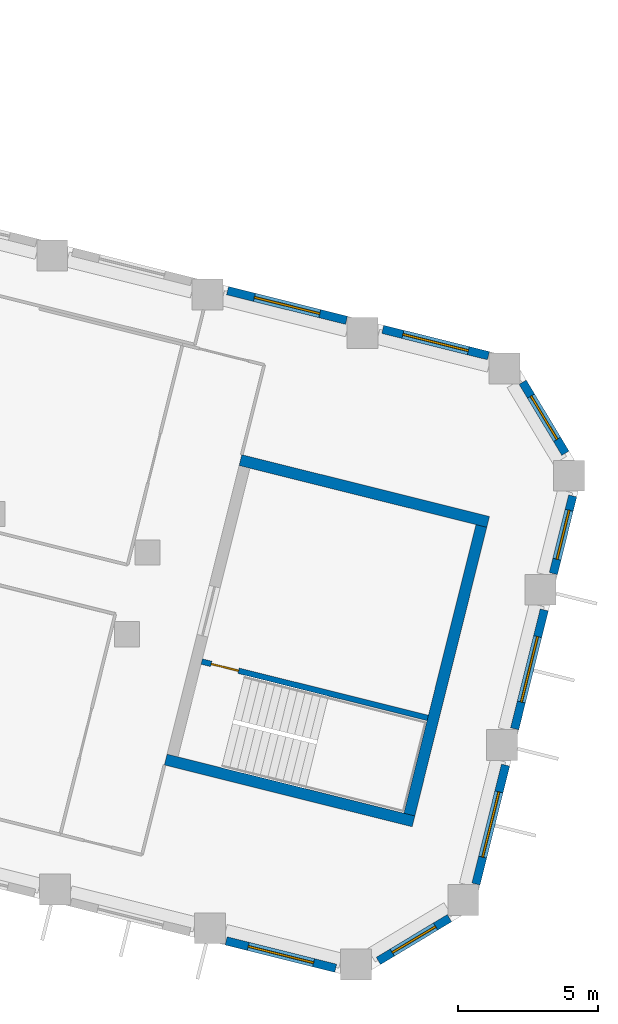
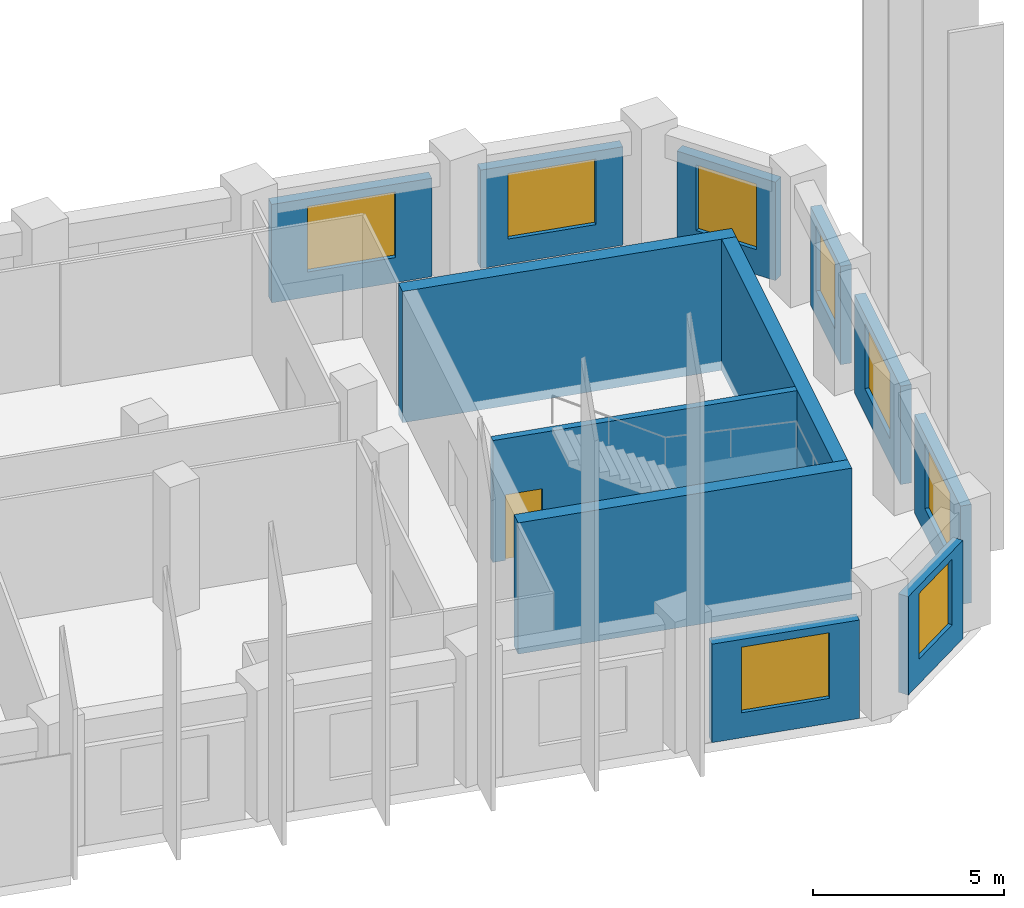
# One storey, part 7 of 10: 12 walls, 8 windows, 1 door, 9 openings.
"""IFC4 building model written with IfcOpenShell, lengths in metres."""

from ifc_helpers import new_model, si_unit, direction, frame, frame_2d, origin, place, context, subcontext, project, spatial, rectangle, extrude, material, layer, layer_set, type_object, element, fill, save


model = new_model("IFC4")

# Units and contexts
model_context = context("Model", 3, precision=1e-05, world=origin(), true_north=direction((0.0, 1.0)))
body_context = subcontext(model_context, "Body", "Model", "MODEL_VIEW")
ifc_project = project(units=[si_unit("LENGTHUNIT", "METRE"), si_unit("AREAUNIT", "SQUARE_METRE"), si_unit("VOLUMEUNIT", "CUBIC_METRE"), si_unit("PLANEANGLEUNIT", "RADIAN"), si_unit("MASSUNIT", "GRAM", prefix="KILO")], contexts=[model_context])

# Site, building, storey
site_placement = place(None, origin())
site = spatial("IfcSite", under=ifc_project, at=site_placement, CompositionType="ELEMENT")
building_placement = place(site_placement, origin())
building = spatial("IfcBuilding", under=site, at=building_placement, Name="Meshkara Civic Tower", CompositionType="ELEMENT")
storey_placement = place(building_placement, frame((0.0, 0.0, 242.39990234375)))
storey = spatial("IfcBuildingStorey", under=building, at=storey_placement, Name="L55", CompositionType="ELEMENT", Elevation=242.39990234375)

# Wall, opening, window
ifc_material_1 = material(Name="Insulated infill panel with bronze anodised aluminium cladding", Category="aluminium")
ifc_layer_1 = layer(ifc_material_1, 0.300048828125)
ifc_layer_set_1 = layer_set([ifc_layer_1], Name="EXTERNAL INFILL WALL 300")
wall_type_1 = type_object("IfcWallType", Name="EXTERNAL INFILL WALL 300", PredefinedType="SOLIDWALL", material=ifc_layer_set_1)
wall_1_placement = place(storey_placement, frame((71.02001953125, 5.635986328125, 0.0), z_axis=(0.0, 0.0, 1.0), x_axis=(-0.970297701374, 0.241913973777, 0.0)))
wall_1 = element("IfcWall", 1, at=wall_1_placement, inside=storey, type_object=wall_type_1, Name="External wall", PredefinedType="SOLIDWALL", context=body_context, shape_type="SweptSolid", body=[
    extrude(rectangle(XDim=3.88134765625, YDim=0.300048828125, at=frame_2d((1.940673828125, 0.0))), origin(), (0.0, 0.0, 1.0), 3.150146484375),
])
opening_1_placement = place(wall_1_placement, frame((0.740966796875, 0.0, 0.800048828125)))
opening_1 = element("IfcOpeningElement", 2, at=opening_1_placement, cuts=wall_1, Name="Opening W7", PredefinedType="OPENING", context=body_context, shape_type="SweptSolid", body=[
    extrude(rectangle(XDim=2.39990234375, YDim=2.10009765625, at=frame_2d((1.199951171875, 1.050048828125))), frame((0.0, 0.159912109375, 0.0), z_axis=(0.0, -1.0, 0.0), x_axis=(1.0, 0.0, 0.0)), (0.0, 0.0, 1.0), 0.320068359375),
])
ifc_material_2 = material(Name="Tinted double glazing", Category="glass")
window_type_1 = type_object("IfcWindowType", Name="WINDOW 2400x2100", PartitioningType="DOUBLE_PANEL_VERTICAL", PredefinedType="WINDOW", material=ifc_material_2)
window_1_placement = place(opening_1_placement, origin())
window_1 = element("IfcWindow", 3, at=window_1_placement, inside=storey, type_object=window_type_1, Name="Window", OverallHeight=2.10009765625, OverallWidth=2.39990234375, PartitioningType="DOUBLE_PANEL_VERTICAL", PredefinedType="WINDOW", context=body_context, shape_type="SweptSolid", body=[
    extrude(rectangle(XDim=2.39990234375, YDim=2.10009765625, at=frame_2d((1.199951171875, 1.050048828125))), frame((0.0, 0.030029296875, 0.0), z_axis=(0.0, -1.0, 0.0), x_axis=(1.0, 0.0, 0.0)), (0.0, 0.0, 1.0), 0.06005859375),
])
fill(opening_1, window_1)

wall_2_placement = place(storey_placement, frame((65.9599609375, 6.89794921875, 0.0), z_axis=(0.0, 0.0, 1.0), x_axis=(-0.970309996763, 0.241864652607, 0.0)))
wall_2 = element("IfcWall", 4, at=wall_2_placement, inside=storey, type_object=wall_type_1, Name="External wall", PredefinedType="SOLIDWALL", context=body_context, shape_type="SweptSolid", body=[
    extrude(rectangle(XDim=4.36669921875, YDim=0.300048828125, at=frame_2d((2.183349609375, 0.0))), origin(), (0.0, 0.0, 1.0), 3.150146484375),
])
opening_2_placement = place(wall_2_placement, frame((0.98291015625, 0.0, 0.800048828125)))
opening_2 = element("IfcOpeningElement", 5, at=opening_2_placement, cuts=wall_2, Name="Opening W7", PredefinedType="OPENING", context=body_context, shape_type="SweptSolid", body=[
    extrude(rectangle(XDim=2.39990234375, YDim=2.10009765625, at=frame_2d((1.199951171875, 1.050048828125))), frame((0.0, 0.159912109375, 0.0), z_axis=(0.0, -1.0, 0.0), x_axis=(1.0, 0.0, 0.0)), (0.0, 0.0, 1.0), 0.320068359375),
])
window_2_placement = place(opening_2_placement, origin())
window_2 = element("IfcWindow", 6, at=window_2_placement, inside=storey, type_object=window_type_1, Name="Window", OverallHeight=2.10009765625, OverallWidth=2.39990234375, PartitioningType="DOUBLE_PANEL_VERTICAL", PredefinedType="WINDOW", context=body_context, shape_type="SweptSolid", body=[
    extrude(rectangle(XDim=2.39990234375, YDim=2.10009765625, at=frame_2d((1.199951171875, 1.050048828125))), frame((0.0, 0.030029296875, 0.0), z_axis=(0.0, -1.0, 0.0), x_axis=(1.0, 0.0, 0.0)), (0.0, 0.0, 1.0), 0.06005859375),
])
fill(opening_2, window_2)

wall_3_placement = place(storey_placement, frame((61.6708984375, -15.220947265625, 0.0), z_axis=(0.0, 0.0, 1.0), x_axis=(0.97026726112, -0.242036034503, 0.0)))
wall_3 = element("IfcWall", 7, at=wall_3_placement, inside=storey, type_object=wall_type_1, Name="External wall", PredefinedType="SOLIDWALL", context=body_context, shape_type="SweptSolid", body=[
    extrude(rectangle(XDim=4.024658203125, YDim=0.300048828125, at=frame_2d((2.01220703125, 0.0))), origin(), (0.0, 0.0, 1.0), 3.150146484375),
])
opening_3_placement = place(wall_3_placement, frame((0.81201171875, 0.0, 0.800048828125)))
opening_3 = element("IfcOpeningElement", 8, at=opening_3_placement, cuts=wall_3, Name="Opening W7", PredefinedType="OPENING", context=body_context, shape_type="SweptSolid", body=[
    extrude(rectangle(XDim=2.39990234375, YDim=2.10009765625, at=frame_2d((1.199951171875, 1.050048828125))), frame((0.0, 0.159912109375, 0.0), z_axis=(0.0, -1.0, 0.0), x_axis=(1.0, 0.0, 0.0)), (0.0, 0.0, 1.0), 0.320068359375),
])
window_3_placement = place(opening_3_placement, origin())
window_3 = element("IfcWindow", 9, at=window_3_placement, inside=storey, type_object=window_type_1, Name="Window", OverallHeight=2.10009765625, OverallWidth=2.39990234375, PartitioningType="DOUBLE_PANEL_VERTICAL", PredefinedType="WINDOW", context=body_context, shape_type="SweptSolid", body=[
    extrude(rectangle(XDim=2.39990234375, YDim=2.10009765625, at=frame_2d((1.199951171875, 1.050048828125))), frame((0.0, 0.030029296875, 0.0), z_axis=(0.0, -1.0, 0.0), x_axis=(1.0, 0.0, 0.0)), (0.0, 0.0, 1.0), 0.06005859375),
])
fill(opening_3, window_3)

wall_4_placement = place(storey_placement, frame((67.097900390625, -15.93408203125, 0.0), z_axis=(0.0, 0.0, 1.0), x_axis=(0.857077006791, 0.515188319384, 0.0)))
wall_4 = element("IfcWall", 10, at=wall_4_placement, inside=storey, type_object=wall_type_1, Name="External wall", PredefinedType="SOLIDWALL", context=body_context, shape_type="SweptSolid", body=[
    extrude(rectangle(XDim=2.9541015625, YDim=0.300048828125, at=frame_2d((1.47705078125, 0.0))), origin(), (0.0, 0.0, 1.0), 3.150146484375),
])
opening_4_placement = place(wall_4_placement, frame((0.576904296875, 0.0, 0.800048828125)))
opening_4 = element("IfcOpeningElement", 11, at=opening_4_placement, cuts=wall_4, Name="Opening W9", PredefinedType="OPENING", context=body_context, shape_type="SweptSolid", body=[
    extrude(rectangle(XDim=1.800048828125, YDim=2.10009765625, at=frame_2d((0.89990234375, 1.050048828125))), frame((0.0, 0.159912109375, 0.0), z_axis=(0.0, -1.0, 0.0), x_axis=(1.0, 0.0, 0.0)), (0.0, 0.0, 1.0), 0.320068359375),
])
ifc_material_3 = material(Name="Tinted double glazing", Category="glass")
window_type_2 = type_object("IfcWindowType", Name="WINDOW 1800x2100", PartitioningType="DOUBLE_PANEL_VERTICAL", PredefinedType="WINDOW", material=ifc_material_3)
window_4_placement = place(opening_4_placement, origin())
window_4 = element("IfcWindow", 12, at=window_4_placement, inside=storey, type_object=window_type_2, Name="Window", OverallHeight=2.10009765625, OverallWidth=1.800048828125, PartitioningType="DOUBLE_PANEL_VERTICAL", PredefinedType="WINDOW", context=body_context, shape_type="SweptSolid", body=[
    extrude(rectangle(XDim=1.800048828125, YDim=2.10009765625, at=frame_2d((0.89990234375, 1.050048828125))), frame((0.0, 0.030029296875, 0.0), z_axis=(0.0, -1.0, 0.0), x_axis=(1.0, 0.0, 0.0)), (0.0, 0.0, 1.0), 0.06005859375),
])
fill(opening_4, window_4)

wall_5_placement = place(storey_placement, frame((70.574951171875, -13.19189453125, 0.0), z_axis=(0.0, 0.0, 1.0), x_axis=(0.241877774353, 0.970306725873, 0.0)))
wall_5 = element("IfcWall", 13, at=wall_5_placement, inside=storey, type_object=wall_type_1, Name="External wall", PredefinedType="SOLIDWALL", context=body_context, shape_type="SweptSolid", body=[
    extrude(rectangle(XDim=4.366455078125, YDim=0.300048828125, at=frame_2d((2.18310546875, 0.0))), origin(), (0.0, 0.0, 1.0), 3.150146484375),
])
opening_5_placement = place(wall_5_placement, frame((0.98291015625, 0.0, 0.800048828125)))
opening_5 = element("IfcOpeningElement", 14, at=opening_5_placement, cuts=wall_5, Name="Opening W7", PredefinedType="OPENING", context=body_context, shape_type="SweptSolid", body=[
    extrude(rectangle(XDim=2.39990234375, YDim=2.10009765625, at=frame_2d((1.199951171875, 1.050048828125))), frame((0.0, 0.159912109375, 0.0), z_axis=(0.0, -1.0, 0.0), x_axis=(1.0, 0.0, 0.0)), (0.0, 0.0, 1.0), 0.320068359375),
])
window_5_placement = place(opening_5_placement, origin())
window_5 = element("IfcWindow", 15, at=window_5_placement, inside=storey, type_object=window_type_1, Name="Window", OverallHeight=2.10009765625, OverallWidth=2.39990234375, PartitioningType="DOUBLE_PANEL_VERTICAL", PredefinedType="WINDOW", context=body_context, shape_type="SweptSolid", body=[
    extrude(rectangle(XDim=2.39990234375, YDim=2.10009765625, at=frame_2d((1.199951171875, 1.050048828125))), frame((0.0, 0.030029296875, 0.0), z_axis=(0.0, -1.0, 0.0), x_axis=(1.0, 0.0, 0.0)), (0.0, 0.0, 1.0), 0.06005859375),
])
fill(opening_5, window_5)

wall_6_placement = place(storey_placement, frame((71.9541015625, -7.660888671875, 0.0), z_axis=(0.0, 0.0, 1.0), x_axis=(0.241877622649, 0.97030676369, 0.0)))
wall_6 = element("IfcWall", 16, at=wall_6_placement, inside=storey, type_object=wall_type_1, Name="External wall", PredefinedType="SOLIDWALL", context=body_context, shape_type="SweptSolid", body=[
    extrude(rectangle(XDim=4.365478515625, YDim=0.300048828125, at=frame_2d((2.1826171875, 0.0))), origin(), (0.0, 0.0, 1.0), 3.150146484375),
])
opening_6_placement = place(wall_6_placement, frame((0.98291015625, 0.0, 0.800048828125)))
opening_6 = element("IfcOpeningElement", 17, at=opening_6_placement, cuts=wall_6, Name="Opening W7", PredefinedType="OPENING", context=body_context, shape_type="SweptSolid", body=[
    extrude(rectangle(XDim=2.39990234375, YDim=2.10009765625, at=frame_2d((1.199951171875, 1.050048828125))), frame((0.0, 0.159912109375, 0.0), z_axis=(0.0, -1.0, 0.0), x_axis=(1.0, 0.0, 0.0)), (0.0, 0.0, 1.0), 0.320068359375),
])
window_6_placement = place(opening_6_placement, origin())
window_6 = element("IfcWindow", 18, at=window_6_placement, inside=storey, type_object=window_type_1, Name="Window", OverallHeight=2.10009765625, OverallWidth=2.39990234375, PartitioningType="DOUBLE_PANEL_VERTICAL", PredefinedType="WINDOW", context=body_context, shape_type="SweptSolid", body=[
    extrude(rectangle(XDim=2.39990234375, YDim=2.10009765625, at=frame_2d((1.199951171875, 1.050048828125))), frame((0.0, 0.030029296875, 0.0), z_axis=(0.0, -1.0, 0.0), x_axis=(1.0, 0.0, 0.0)), (0.0, 0.0, 1.0), 0.06005859375),
])
fill(opening_6, window_6)

wall_7_placement = place(storey_placement, frame((73.3330078125, -2.131103515625, 0.0), z_axis=(0.0, 0.0, 1.0), x_axis=(0.241770612026, 0.970333432981, 0.0)))
wall_7 = element("IfcWall", 19, at=wall_7_placement, inside=storey, type_object=wall_type_1, Name="External wall", PredefinedType="SOLIDWALL", context=body_context, shape_type="SweptSolid", body=[
    extrude(rectangle(XDim=2.853759765625, YDim=0.300048828125, at=frame_2d((1.4267578125, 0.0))), origin(), (0.0, 0.0, 1.0), 3.150146484375),
])
opening_7_placement = place(wall_7_placement, frame((0.527099609375, 0.0, 0.800048828125)))
opening_7 = element("IfcOpeningElement", 20, at=opening_7_placement, cuts=wall_7, Name="Opening W9", PredefinedType="OPENING", context=body_context, shape_type="SweptSolid", body=[
    extrude(rectangle(XDim=1.800048828125, YDim=2.10009765625, at=frame_2d((0.89990234375, 1.050048828125))), frame((0.0, 0.159912109375, 0.0), z_axis=(0.0, -1.0, 0.0), x_axis=(1.0, 0.0, 0.0)), (0.0, 0.0, 1.0), 0.320068359375),
])
window_7_placement = place(opening_7_placement, origin())
window_7 = element("IfcWindow", 21, at=window_7_placement, inside=storey, type_object=window_type_2, Name="Window", OverallHeight=2.10009765625, OverallWidth=1.800048828125, PartitioningType="DOUBLE_PANEL_VERTICAL", PredefinedType="WINDOW", context=body_context, shape_type="SweptSolid", body=[
    extrude(rectangle(XDim=1.800048828125, YDim=2.10009765625, at=frame_2d((0.89990234375, 1.050048828125))), frame((0.0, 0.030029296875, 0.0), z_axis=(0.0, -1.0, 0.0), x_axis=(1.0, 0.0, 0.0)), (0.0, 0.0, 1.0), 0.06005859375),
])
fill(opening_7, window_7)

wall_8_placement = place(storey_placement, frame((73.761962890625, 2.159912109375, 0.0), z_axis=(0.0, 0.0, 1.0), x_axis=(-0.515334317037, 0.856989230786, 0.0)))
wall_8 = element("IfcWall", 22, at=wall_8_placement, inside=storey, type_object=wall_type_1, Name="External wall", PredefinedType="SOLIDWALL", context=body_context, shape_type="SweptSolid", body=[
    extrude(rectangle(XDim=2.953369140625, YDim=0.300048828125, at=frame_2d((1.4765625, 0.0))), origin(), (0.0, 0.0, 1.0), 3.150146484375),
])
opening_8_placement = place(wall_8_placement, frame((0.576904296875, 0.0, 0.800048828125)))
opening_8 = element("IfcOpeningElement", 23, at=opening_8_placement, cuts=wall_8, Name="Opening W9", PredefinedType="OPENING", context=body_context, shape_type="SweptSolid", body=[
    extrude(rectangle(XDim=1.800048828125, YDim=2.10009765625, at=frame_2d((0.89990234375, 1.050048828125))), frame((0.0, 0.159912109375, 0.0), z_axis=(0.0, -1.0, 0.0), x_axis=(1.0, 0.0, 0.0)), (0.0, 0.0, 1.0), 0.320068359375),
])
window_8_placement = place(opening_8_placement, origin())
window_8 = element("IfcWindow", 24, at=window_8_placement, inside=storey, type_object=window_type_2, Name="Window", OverallHeight=2.10009765625, OverallWidth=1.800048828125, PartitioningType="DOUBLE_PANEL_VERTICAL", PredefinedType="WINDOW", context=body_context, shape_type="SweptSolid", body=[
    extrude(rectangle(XDim=1.800048828125, YDim=2.10009765625, at=frame_2d((0.89990234375, 1.050048828125))), frame((0.0, 0.030029296875, 0.0), z_axis=(0.0, -1.0, 0.0), x_axis=(1.0, 0.0, 0.0)), (0.0, 0.0, 1.0), 0.06005859375),
])
fill(opening_8, window_8)

# Walls
ifc_material_4 = material(Name="Concrete C60", Category="concrete")
ifc_layer_2 = layer(ifc_material_4, 0.39990234375)
ifc_layer_set_2 = layer_set([ifc_layer_2], Name="End core ring wall 400 C60")
wall_type_2 = type_object("IfcWallType", Name="End core ring wall 400 C60", PredefinedType="SHEAR", material=ifc_layer_set_2)
wall_9_placement = place(storey_placement, frame((59.51904296875, -8.759033203125, -0.2998046875), z_axis=(0.0, 0.0, 1.0), x_axis=(0.970287509026, -0.241954850805, 0.0)))
element("IfcWall", 25, at=wall_9_placement, inside=storey, type_object=wall_type_2, Name="L55-C028", PredefinedType="SHEAR", context=body_context, shape_type="SweptSolid", body=[
    extrude(rectangle(XDim=9.1005859375, YDim=0.39990234375, at=frame_2d((4.55029296875, 0.0))), origin(), (0.0, 0.0, 1.0), 4.199951171875),
])
wall_10_placement = place(storey_placement, frame((62.179931640625, 1.9140625, -0.2998046875), z_axis=(0.0, 0.0, 1.0), x_axis=(0.970306400786, -0.241879078453, 0.0)))
element("IfcWall", 26, at=wall_10_placement, inside=storey, type_object=wall_type_2, Name="L55-C029", PredefinedType="SHEAR", context=body_context, shape_type="SweptSolid", body=[
    extrude(rectangle(XDim=9.100341796875, YDim=0.39990234375, at=frame_2d((4.55029296875, 0.0))), origin(), (0.0, 0.0, 1.0), 4.199951171875),
])
wall_11_placement = place(storey_placement, frame((68.202880859375, -10.718017578125, -0.2998046875), z_axis=(0.0, 0.0, 1.0), x_axis=(0.241912337509, 0.970298109326, 0.0)))
element("IfcWall", 27, at=wall_11_placement, inside=storey, type_object=wall_type_2, Name="L55-C031", PredefinedType="SHEAR", context=body_context, shape_type="SweptSolid", body=[
    extrude(rectangle(XDim=10.599853515625, YDim=0.39990234375, at=frame_2d((5.2998046875, 0.0))), origin(), (0.0, 0.0, 1.0), 4.199951171875),
])

# Wall, opening, door
ifc_material_5 = material(Name="Concrete C40/50", Category="concrete")
ifc_layer_3 = layer(ifc_material_5, 0.199951171875)
ifc_layer_set_3 = layer_set([ifc_layer_3], Name="Stair enclosure wall 200 C40/50")
wall_type_3 = type_object("IfcWallType", Name="Stair enclosure wall 200 C40/50", PredefinedType="SOLIDWALL", material=ifc_layer_set_3)
wall_12_placement = place(storey_placement, frame((60.802001953125, -5.26611328125, 0.0), z_axis=(0.0, 0.0, 1.0), x_axis=(0.970303192681, -0.241891947516, 0.0)))
wall_12 = element("IfcWall", 28, at=wall_12_placement, inside=storey, type_object=wall_type_3, Name="L55-C032", PredefinedType="SOLIDWALL", context=body_context, shape_type="SweptSolid", body=[
    extrude(rectangle(XDim=8.300537109375, YDim=0.199951171875, at=frame_2d((4.150390625, 0.0))), origin(), (0.0, 0.0, 1.0), 3.900146484375),
])
opening_9_placement = place(wall_12_placement, frame((0.35009765625, 0.0, 0.0)))
opening_9 = element("IfcOpeningElement", 29, at=opening_9_placement, cuts=wall_12, Name="Opening L55-K201", PredefinedType="OPENING", context=body_context, shape_type="SweptSolid", body=[
    extrude(rectangle(XDim=1.0, YDim=2.10009765625, at=frame_2d((0.5, 1.050048828125))), frame((0.0, 0.10986328125, 0.0), z_axis=(0.0, -1.0, 0.0), x_axis=(1.0, 0.0, 0.0)), (0.0, 0.0, 1.0), 0.219970703125),
])
ifc_material_6 = material(Name="Fire-rated door leaf in steel frame", Category="steel")
door_type = type_object("IfcDoorType", Name="Stair door 1000 EI 120", OperationType="SINGLE_SWING_LEFT", PredefinedType="DOOR", material=ifc_material_6)
door_placement = place(opening_9_placement, origin())
door = element("IfcDoor", 30, at=door_placement, inside=storey, type_object=door_type, Name="L55-K201", OperationType="SINGLE_SWING_LEFT", OverallHeight=2.10009765625, OverallWidth=1.0, PredefinedType="DOOR", context=body_context, shape_type="SweptSolid", body=[
    extrude(rectangle(XDim=1.0, YDim=2.10009765625, at=frame_2d((0.5, 1.050048828125))), frame((0.0, 0.02490234375, 0.0), z_axis=(0.0, -1.0, 0.0), x_axis=(1.0, 0.0, 0.0)), (0.0, 0.0, 1.0), 0.050048828125),
])
fill(opening_9, door)

save(model, "model.ifc")
